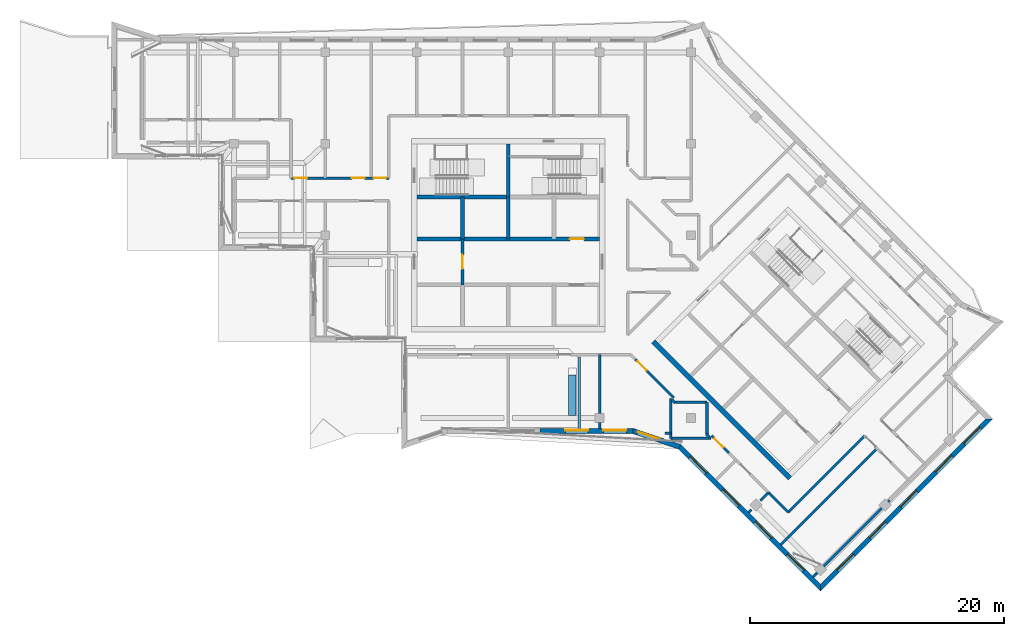
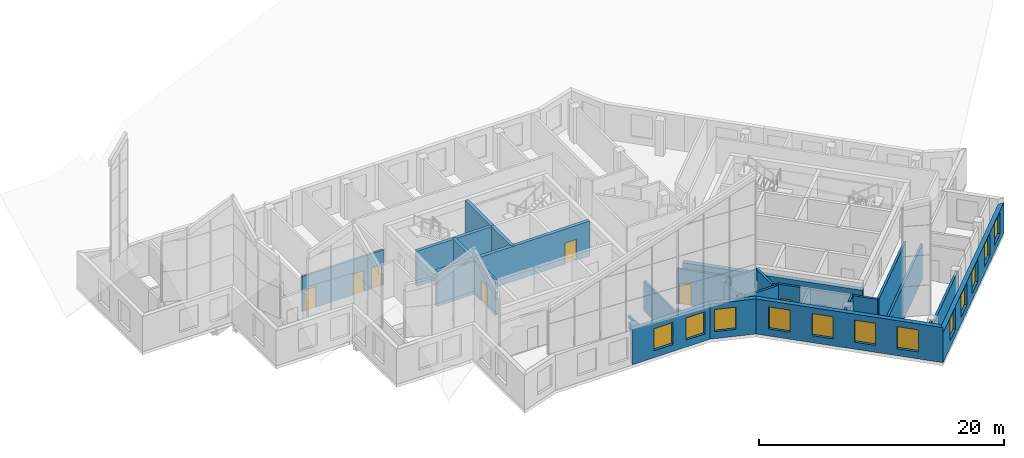
# One storey, part 12 of 20: 32 walls, 12 windows, 7 doors, 19 openings.
"""IFC4 building model written with IfcOpenShell, lengths in metres."""

from ifc_helpers import new_model, si_unit, direction, frame, frame_2d, origin, place, context, subcontext, project, spatial, polyline, rectangle, outline, extrude, material, layer, layer_set, type_object, element, fill, save


model = new_model("IFC4")

# Units and contexts
model_context = context("Model", 3, precision=1e-05, world=origin(), true_north=direction((0.0, 1.0)))
body_context = subcontext(model_context, "Body", "Model", "MODEL_VIEW")
ifc_project = project(units=[si_unit("LENGTHUNIT", "METRE"), si_unit("AREAUNIT", "SQUARE_METRE"), si_unit("VOLUMEUNIT", "CUBIC_METRE"), si_unit("PLANEANGLEUNIT", "RADIAN"), si_unit("MASSUNIT", "GRAM", prefix="KILO")], contexts=[model_context])

# Site, building, storey
site_placement = place(None, origin())
site = spatial("IfcSite", under=ifc_project, at=site_placement, CompositionType="ELEMENT")
building_placement = place(site_placement, origin())
building = spatial("IfcBuilding", under=site, at=building_placement, Name="Windrow Commons", CompositionType="ELEMENT")
storey_placement = place(building_placement, frame((0.0, 0.0, 290.6)))
storey = spatial("IfcBuildingStorey", under=building, at=storey_placement, Name="L79", CompositionType="ELEMENT", Elevation=290.6)

# Wall, opening, door
ifc_material_1 = material(Name="Blockwork partition", Category="masonry")
ifc_layer_1 = layer(ifc_material_1, 0.2)
ifc_layer_set_1 = layer_set([ifc_layer_1], Name="Fire lobby partition 200")
wall_type_1 = type_object("IfcWallType", Name="Fire lobby partition 200", PredefinedType="PARTITIONING", material=ifc_layer_set_1)
wall_1_placement = place(storey_placement, frame((61.2, 53.7, 0.0), z_axis=(0.0, 0.0, 1.0), x_axis=(0.0, 1.0, 0.0)))
wall_1 = element("IfcWall", 1, at=wall_1_placement, inside=storey, type_object=wall_type_1, Name="W-core-lobby-A-L79", PredefinedType="PARTITIONING", context=body_context, shape_type="SweptSolid", body=[
    extrude(rectangle(XDim=3.6, YDim=0.2, at=frame_2d((1.8, 0.0))), origin(), (0.0, 0.0, 1.0), 3.5),
])
opening_1_placement = place(wall_1_placement, frame((1.25, 0.0, 0.0)))
opening_1 = element("IfcOpeningElement", 2, at=opening_1_placement, cuts=wall_1, Name="Opening D6", PredefinedType="OPENING", context=body_context, shape_type="SweptSolid", body=[
    extrude(rectangle(XDim=1.1, YDim=2.1, at=frame_2d((0.55, 1.05))), frame((0.0, 0.11, 0.0), z_axis=(0.0, -1.0, 0.0), x_axis=(1.0, 0.0, 0.0)), (0.0, 0.0, 1.0), 0.22),
])
ifc_material_2 = material(Name="Steel fire door leaf", Category="steel")
door_type_1 = type_object("IfcDoorType", Name="Core lobby door 1100", OperationType="SINGLE_SWING_LEFT", PredefinedType="DOOR", material=ifc_material_2)
door_1_placement = place(opening_1_placement, origin())
door_1 = element("IfcDoor", 3, at=door_1_placement, inside=storey, type_object=door_type_1, Name="Lift lobby door", OperationType="DOUBLE_DOOR_SINGLE_SWING", OverallHeight=2.1, OverallWidth=1.1, PredefinedType="DOOR", context=body_context, shape_type="SweptSolid", body=[
    extrude(rectangle(XDim=1.1, YDim=2.1, at=frame_2d((0.55, 1.05))), frame((0.0, 0.025, 0.0), z_axis=(0.0, -1.0, 0.0), x_axis=(1.0, 0.0, 0.0)), (0.0, 0.0, 1.0), 0.05),
])
fill(opening_1, door_1)

# Wall
ifc_material_3 = material(Name="Blockwork partition", Category="masonry")
ifc_layer_2 = layer(ifc_material_3, 0.2)
ifc_layer_set_2 = layer_set([ifc_layer_2], Name="IW-CORRIDOR-200")
wall_type_2 = type_object("IfcWallType", Name="IW-CORRIDOR-200", PredefinedType="PARTITIONING", material=ifc_layer_set_2)
wall_2_placement = place(storey_placement, frame((86.8355, 35.7965, 0.0), z_axis=(0.0, 0.0, 1.0), x_axis=(0.7071067812, 0.7071067812, 0.0)))
element("IfcWall", 4, at=wall_2_placement, inside=storey, type_object=wall_type_2, Name="W-L79-W011", PredefinedType="PARTITIONING", context=body_context, shape_type="SweptSolid", body=[
    extrude(rectangle(XDim=8.4994, YDim=0.2, at=frame_2d((4.2497, 0.0))), origin(), (0.0, 0.0, 1.0), 3.5),
])

# Wall, openings, doors
wall_3_placement = place(storey_placement, frame((47.702, 62.1, 0.0), z_axis=(0.0, 0.0, 1.0), x_axis=(1.0, 0.0, 0.0)))
wall_3 = element("IfcWall", 5, at=wall_3_placement, inside=storey, type_object=wall_type_2, Name="W-L79-W014", PredefinedType="PARTITIONING", context=body_context, shape_type="SweptSolid", body=[
    extrude(rectangle(XDim=7.698, YDim=0.2, at=frame_2d((3.849, 0.0))), origin(), (0.0, 0.0, 1.0), 3.5),
])
opening_2_placement = place(wall_3_placement, frame((0.2647, 0.0, 0.0)))
opening_2 = element("IfcOpeningElement", 6, at=opening_2_placement, cuts=wall_3, Name="Opening D410F", PredefinedType="OPENING", context=body_context, shape_type="SweptSolid", body=[
    extrude(rectangle(XDim=1.0, YDim=2.1, at=frame_2d((0.5, 1.05))), frame((0.0, 0.11, 0.0), z_axis=(0.0, -1.0, 0.0), x_axis=(1.0, 0.0, 0.0)), (0.0, 0.0, 1.0), 0.22),
])
opening_3_placement = place(wall_3_placement, frame((4.7905, 0.0, 0.0)))
opening_3 = element("IfcOpeningElement", 7, at=opening_3_placement, cuts=wall_3, Name="Opening D410F", PredefinedType="OPENING", context=body_context, shape_type="SweptSolid", body=[
    extrude(rectangle(XDim=1.0, YDim=2.1, at=frame_2d((0.5, 1.05))), frame((0.0, 0.11, 0.0), z_axis=(0.0, -1.0, 0.0), x_axis=(1.0, 0.0, 0.0)), (0.0, 0.0, 1.0), 0.22),
])
opening_4_placement = place(wall_3_placement, frame((6.4951, 0.0, 0.0)))
opening_4 = element("IfcOpeningElement", 8, at=opening_4_placement, cuts=wall_3, Name="Opening D410F", PredefinedType="OPENING", context=body_context, shape_type="SweptSolid", body=[
    extrude(rectangle(XDim=1.0, YDim=2.1, at=frame_2d((0.5, 1.05))), frame((0.0, 0.11, 0.0), z_axis=(0.0, -1.0, 0.0), x_axis=(1.0, 0.0, 0.0)), (0.0, 0.0, 1.0), 0.22),
])
ifc_material_4 = material(Name="Timber door leaf", Category="wood")
door_type_2 = type_object("IfcDoorType", Name="DT-SERVICE-1000", OperationType="SINGLE_SWING_LEFT", PredefinedType="DOOR", material=ifc_material_4)
door_2_placement = place(opening_2_placement, origin())
door_2 = element("IfcDoor", 9, at=door_2_placement, inside=storey, type_object=door_type_2, Name="D-L79-D011", OperationType="SINGLE_SWING_LEFT", OverallHeight=2.1, OverallWidth=1.0, PredefinedType="DOOR", context=body_context, shape_type="SweptSolid", body=[
    extrude(rectangle(XDim=1.0, YDim=2.1, at=frame_2d((0.5, 1.05))), frame((0.0, 0.025, 0.0), z_axis=(0.0, -1.0, 0.0), x_axis=(1.0, 0.0, 0.0)), (0.0, 0.0, 1.0), 0.05),
])
fill(opening_2, door_2)
door_3_placement = place(opening_3_placement, origin())
door_3 = element("IfcDoor", 10, at=door_3_placement, inside=storey, type_object=door_type_2, Name="D-L79-D012", OperationType="SINGLE_SWING_RIGHT", OverallHeight=2.1, OverallWidth=1.0, PredefinedType="DOOR", context=body_context, shape_type="SweptSolid", body=[
    extrude(rectangle(XDim=1.0, YDim=2.1, at=frame_2d((0.5, 1.05))), frame((0.0, 0.025, 0.0), z_axis=(0.0, -1.0, 0.0), x_axis=(1.0, 0.0, 0.0)), (0.0, 0.0, 1.0), 0.05),
])
fill(opening_3, door_3)
door_4_placement = place(opening_4_placement, origin())
door_4 = element("IfcDoor", 11, at=door_4_placement, inside=storey, type_object=door_type_2, Name="D-L79-D013", OperationType="SINGLE_SWING_LEFT", OverallHeight=2.1, OverallWidth=1.0, PredefinedType="DOOR", context=body_context, shape_type="SweptSolid", body=[
    extrude(rectangle(XDim=1.0, YDim=2.1, at=frame_2d((0.5, 1.05))), frame((0.0, 0.025, 0.0), z_axis=(0.0, -1.0, 0.0), x_axis=(1.0, 0.0, 0.0)), (0.0, 0.0, 1.0), 0.05),
])
fill(opening_4, door_4)

# Wall, opening, door
wall_4_placement = place(storey_placement, frame((77.8286, 44.7986, 0.0), z_axis=(0.0, 0.0, 1.0), x_axis=(-0.7072005868, 0.7070129631, 0.0)))
wall_4 = element("IfcWall", 12, at=wall_4_placement, inside=storey, type_object=wall_type_2, Name="W-L79-W040", PredefinedType="PARTITIONING", context=body_context, shape_type="SweptSolid", body=[
    extrude(rectangle(XDim=4.2639, YDim=0.2, at=frame_2d((2.1319, 0.0))), origin(), (0.0, 0.0, 1.0), 3.5),
])
opening_5_placement = place(wall_4_placement, frame((3.0401, 0.0, 0.0)))
opening_5 = element("IfcOpeningElement", 13, at=opening_5_placement, cuts=wall_4, Name="Opening D410F", PredefinedType="OPENING", context=body_context, shape_type="SweptSolid", body=[
    extrude(rectangle(XDim=1.0, YDim=2.1, at=frame_2d((0.5, 1.05))), frame((0.0, 0.11, 0.0), z_axis=(0.0, -1.0, 0.0), x_axis=(1.0, 0.0, 0.0)), (0.0, 0.0, 1.0), 0.22),
])
door_5_placement = place(opening_5_placement, origin())
door_5 = element("IfcDoor", 14, at=door_5_placement, inside=storey, type_object=door_type_2, Name="D-L79-D002", OperationType="SINGLE_SWING_LEFT", OverallHeight=2.1, OverallWidth=1.0, PredefinedType="DOOR", context=body_context, shape_type="SweptSolid", body=[
    extrude(rectangle(XDim=1.0, YDim=2.1, at=frame_2d((0.5, 1.05))), frame((0.0, 0.025, 0.0), z_axis=(0.0, -1.0, 0.0), x_axis=(1.0, 0.0, 0.0)), (0.0, 0.0, 1.0), 0.05),
])
fill(opening_5, door_5)

# Walls
for number, where, z_axis, x_axis, name in (
    (15, (80.45, 41.952, 0.0), (0.0, 0.0, 1.0), (0.0, 1.0, 0.0), "W-L79-W053"),
    (16, (77.952, 44.45, 0.0), (0.0, 0.0, 1.0), (1.0, 0.0, 0.0), "W-L79-W054"),
):
    element("IfcWall", number, at=place(storey_placement, frame(where, z_axis=z_axis, x_axis=x_axis)), inside=storey, type_object=wall_type_2, Name=name, PredefinedType="PARTITIONING", context=body_context, shape_type="SweptSolid", body=[
        extrude(rectangle(XDim=2.498, YDim=0.2, at=frame_2d((1.249, 0.0))), origin(), (0.0, 0.0, 1.0), 3.5),
    ])
wall_5_placement = place(storey_placement, frame((86.8332, 35.7932, 0.0), z_axis=(0.0, 0.0, 1.0), x_axis=(-0.7068338899, 0.7073795672, 0.0)))
element("IfcWall", 17, at=wall_5_placement, inside=storey, type_object=wall_type_2, Name="W-L79-W066", PredefinedType="PARTITIONING", context=body_context, shape_type="SweptSolid", body=[
    extrude(rectangle(XDim=2.1991, YDim=0.2, at=frame_2d((1.0996, 0.0))), origin(), (0.0, 0.0, 1.0), 3.5),
])

# Wall, opening, door
wall_6_placement = place(storey_placement, frame((80.8053, 41.8353, 0.0), z_axis=(0.0, 0.0, 1.0), x_axis=(0.7065923348, -0.7076208535, 0.0)))
wall_6 = element("IfcWall", 18, at=wall_6_placement, inside=storey, type_object=wall_type_2, Name="W-L79-W067", PredefinedType="PARTITIONING", context=body_context, shape_type="SweptSolid", body=[
    extrude(rectangle(XDim=1.9445, YDim=0.2, at=frame_2d((0.9722, 0.0))), origin(), (0.0, 0.0, 1.0), 3.5),
])
opening_6_placement = place(wall_6_placement, frame((0.3362, 0.0, 0.0)))
opening_6 = element("IfcOpeningElement", 19, at=opening_6_placement, cuts=wall_6, Name="Opening D410F", PredefinedType="OPENING", context=body_context, shape_type="SweptSolid", body=[
    extrude(rectangle(XDim=1.0, YDim=2.1, at=frame_2d((0.5, 1.05))), frame((0.0, 0.11, 0.0), z_axis=(0.0, -1.0, 0.0), x_axis=(1.0, 0.0, 0.0)), (0.0, 0.0, 1.0), 0.22),
])
door_6_placement = place(opening_6_placement, origin())
door_6 = element("IfcDoor", 20, at=door_6_placement, inside=storey, type_object=door_type_2, Name="D-L79-D028", OperationType="SINGLE_SWING_LEFT", OverallHeight=2.1, OverallWidth=1.0, PredefinedType="DOOR", context=body_context, shape_type="SweptSolid", body=[
    extrude(rectangle(XDim=1.0, YDim=2.1, at=frame_2d((0.5, 1.05))), frame((0.0, 0.025, 0.0), z_axis=(0.0, -1.0, 0.0), x_axis=(1.0, 0.0, 0.0)), (0.0, 0.0, 1.0), 0.05),
])
fill(opening_6, door_6)

# Walls
for number, where, z_axis, x_axis, name in (
    (21, (77.6958, 44.6478, 0.0), (0.0, 0.0, 1.0), (0.7071067812, -0.7071067812, 0.0), "W-L79-W104"),
    (22, (80.3968, 41.9468, 0.0), (0.0, 0.0, 1.0), (0.7071067812, -0.7071067812, 0.0), "W-L79-W105"),
):
    element("IfcWall", number, at=place(storey_placement, frame(where, z_axis=z_axis, x_axis=x_axis)), inside=storey, type_object=wall_type_2, Name=name, PredefinedType="PARTITIONING", context=body_context, shape_type="SweptSolid", body=[
        extrude(rectangle(XDim=0.355, YDim=0.2, at=frame_2d((0.1775, 0.0))), origin(), (0.0, 0.0, 1.0), 3.5),
    ])
ifc_material_5 = material(Name="Blockwork partition", Category="masonry")
ifc_layer_3 = layer(ifc_material_5, 0.2)
ifc_layer_set_3 = layer_set([ifc_layer_3], Name="IW-PARTY-200")
wall_type_3 = type_object("IfcWallType", Name="IW-PARTY-200", PredefinedType="PARTITIONING", material=ifc_layer_set_3)
wall_7_placement = place(storey_placement, frame((89.031, 30.921, 0.0), z_axis=(0.0, 0.0, 1.0), x_axis=(0.7071067812, 0.7071067812, 0.0)))
element("IfcWall", 23, at=wall_7_placement, inside=storey, type_object=wall_type_3, Name="W-L79-W021", PredefinedType="PARTITIONING", context=body_context, shape_type="SweptSolid", body=[
    extrude(rectangle(XDim=8.1911, YDim=0.2, at=frame_2d((4.0956, 0.0))), origin(), (0.0, 0.0, 1.0), 3.0),
])
wall_8_placement = place(storey_placement, frame((72.0, 42.85, 0.0), z_axis=(0.0, 0.0, 1.0), x_axis=(0.0, 1.0, 0.0)))
element("IfcWall", 24, at=wall_8_placement, inside=storey, type_object=wall_type_3, Name="W-L79-W036", PredefinedType="PARTITIONING", context=body_context, shape_type="SweptSolid", body=[
    extrude(rectangle(XDim=5.35, YDim=0.2, at=frame_2d((2.675, 0.0))), origin(), (0.0, 0.0, 1.0), 3.0),
])
wall_9_placement = place(storey_placement, frame((77.6, 41.6, 0.0), z_axis=(0.0, 0.0, 1.0), x_axis=(0.0, 1.0, 0.0)))
element("IfcWall", 25, at=wall_9_placement, inside=storey, type_object=wall_type_3, Name="W-L79-W048", PredefinedType="PARTITIONING", context=body_context, shape_type="SweptSolid", body=[
    extrude(rectangle(XDim=3.15, YDim=0.2, at=frame_2d((1.575, 0.0))), origin(), (0.0, 0.0, 1.0), 3.0),
])
wall_10_placement = place(storey_placement, frame((77.602, 41.6, 0.0), z_axis=(0.0, 0.0, 1.0), x_axis=(1.0, 0.0, 0.0)))
element("IfcWall", 26, at=wall_10_placement, inside=storey, type_object=wall_type_3, Name="W-L79-W049", PredefinedType="PARTITIONING", context=body_context, shape_type="SweptSolid", body=[
    extrude(rectangle(XDim=3.148, YDim=0.2, at=frame_2d((1.574, 0.0))), origin(), (0.0, 0.0, 1.0), 3.5),
])
wall_11_placement = place(storey_placement, frame((84.6408, 36.7132, 0.0), z_axis=(0.0, 0.0, 1.0), x_axis=(0.7071067812, 0.7071067812, 0.0)))
element("IfcWall", 27, at=wall_11_placement, inside=storey, type_object=wall_type_3, Name="W-L79-W084", PredefinedType="PARTITIONING", context=body_context, shape_type="SweptSolid", body=[
    extrude(rectangle(XDim=0.9051, YDim=0.2, at=frame_2d((0.4526, 0.0))), origin(), (0.0, 0.0, 1.0), 3.5),
])
wall_12_placement = place(storey_placement, frame((77.14, 42.0, 0.0), z_axis=(0.0, 0.0, 1.0), x_axis=(1.0, 0.0, 0.0)))
element("IfcWall", 28, at=wall_12_placement, inside=storey, type_object=wall_type_3, Name="W-L79-W106", PredefinedType="PARTITIONING", context=body_context, shape_type="SweptSolid", body=[
    extrude(rectangle(XDim=0.46, YDim=0.2, at=frame_2d((0.23, 0.0))), origin(), (0.0, 0.0, 1.0), 3.5),
])
wall_13_placement = place(storey_placement, frame((86.2709, 33.2507, 0.0), z_axis=(0.0, 0.0, 1.0), x_axis=(0.7071908866, 0.7070226658, 0.0)))
element("IfcWall", 29, at=wall_13_placement, inside=storey, type_object=wall_type_3, Name="W-L79-W006", PredefinedType="PARTITIONING", context=body_context, shape_type="SweptSolid", body=[
    extrude(outline(polyline([(0.0, -0.1), (10.7002, -0.1), (10.7002, 0.1), (0.0, 0.1), (0.0, -0.1)])), origin(), (0.0, 0.0, 1.0), 3.5),
])
wall_14_placement = place(storey_placement, frame((72.0, 42.4, 0.0), z_axis=(0.0, 0.0, 1.0), x_axis=(0.0, 1.0, 0.0)))
element("IfcWall", 30, at=wall_14_placement, inside=storey, type_object=wall_type_3, Name="W-L79-W089", PredefinedType="PARTITIONING", context=body_context, shape_type="SweptSolid", body=[
    extrude(outline(polyline([(0.0, -0.1), (0.45, -0.1), (0.45, 0.1), (0.0, 0.1), (0.0, -0.1)])), origin(), (0.0, 0.0, 1.0), 3.5),
])
wall_15_placement = place(storey_placement, frame((83.7246, 35.7969, 0.0), z_axis=(0.0, 0.0, 1.0), x_axis=(0.7069432694, 0.7072702552, 0.0)))
element("IfcWall", 31, at=wall_15_placement, inside=storey, type_object=wall_type_3, Name="W-L79-W097", PredefinedType="PARTITIONING", context=body_context, shape_type="SweptSolid", body=[
    extrude(outline(polyline([(0.0, -0.1), (0.3058, -0.1), (0.3058, 0.1), (0.0, 0.1), (0.0, -0.1)])), origin(), (0.0, 0.0, 1.0), 3.5),
])
wall_16_placement = place(storey_placement, frame((88.8158, 30.7058, 0.0), z_axis=(0.0, 0.0, 1.0), x_axis=(0.7071067812, 0.7071067812, 0.0)))
element("IfcWall", 32, at=wall_16_placement, inside=storey, type_object=wall_type_3, Name="W-L79-W101", PredefinedType="PARTITIONING", context=body_context, shape_type="SweptSolid", body=[
    extrude(outline(polyline([(0.0, -0.1), (0.3043, -0.1), (0.3043, 0.1), (0.0, 0.1), (0.0, -0.1)])), origin(), (0.0, 0.0, 1.0), 3.5),
])
ifc_material_6 = material(Name="Concrete C30/37 planter wall", Category="concrete")
ifc_layer_4 = layer(ifc_material_6, 0.6)
ifc_layer_set_4 = layer_set([ifc_layer_4], Name="Planter 600x450")
wall_type_4 = type_object("IfcWallType", Name="Planter 600x450", PredefinedType="SOLIDWALL", material=ifc_layer_set_4)
wall_17_placement = place(storey_placement, frame((69.85, 43.42, 0.0), z_axis=(0.0, 0.0, 1.0), x_axis=(0.0, 1.0, 0.0)))
element("IfcWall", 33, at=wall_17_placement, inside=storey, type_object=wall_type_4, Name="PLANTER TR-L79-4.1", PredefinedType="SOLIDWALL", context=body_context, shape_type="SweptSolid", body=[
    extrude(outline(polyline([(0.0, -0.3), (3.18, -0.3), (3.18, 0.3), (0.0, 0.3), (0.0, -0.3)])), origin(), (0.0, 0.0, 1.0), 0.65),
])
ifc_material_7 = material(Name="Concrete C40/50", Category="concrete")
ifc_layer_5 = layer(ifc_material_7, 0.4)
ifc_layer_set_5 = layer_set([ifc_layer_5], Name="RC CORE WALL 400 C40/50")
wall_type_5 = type_object("IfcWallType", Name="RC CORE WALL 400 C40/50", PredefinedType="SHEAR", material=ifc_layer_set_5)
wall_18_placement = place(storey_placement, frame((76.2302, 49.2312, -0.3), z_axis=(0.0, 0.0, 1.0), x_axis=(0.7071034917, -0.7071100706, 0.0)))
element("IfcWall", 34, at=wall_18_placement, inside=storey, type_object=wall_type_5, Name="Core B wall outer-S", PredefinedType="SHEAR", context=body_context, shape_type="SweptSolid", body=[
    extrude(rectangle(XDim=15.2, YDim=0.4, at=frame_2d((7.6, 0.0))), origin(), (0.0, 0.0, 1.0), 3.1),
])
ifc_material_8 = material(Name="Concrete C40/50", Category="concrete")
ifc_layer_6 = layer(ifc_material_8, 0.3)
ifc_layer_set_6 = layer_set([ifc_layer_6], Name="RC SHAFT WALL 300 C40/50")
wall_type_6 = type_object("IfcWallType", Name="RC SHAFT WALL 300 C40/50", PredefinedType="SOLIDWALL", material=ifc_layer_set_6)
for number, where, z_axis, x_axis, name in (
    (35, (61.2, 57.3, 0.0), (0.0, 0.0, 1.0), (0.0, 1.0, 0.0), "Core A wall shaft-N1"),
    (36, (64.8, 57.3, 0.0), (0.0, 0.0, 1.0), (0.0, 1.0, 0.0), "Core A wall shaft-N2"),
):
    element("IfcWall", number, at=place(storey_placement, frame(where, z_axis=z_axis, x_axis=x_axis)), inside=storey, type_object=wall_type_6, Name=name, PredefinedType="SOLIDWALL", context=body_context, shape_type="SweptSolid", body=[
        extrude(rectangle(XDim=3.3, YDim=0.3, at=frame_2d((1.65, 0.0))), origin(), (0.0, 0.0, 1.0), 3.5),
    ])

# Wall, opening, door
wall_19_placement = place(storey_placement, frame((57.6, 57.3, 0.0), z_axis=(0.0, 0.0, 1.0), x_axis=(1.0, 0.0, 0.0)))
wall_19 = element("IfcWall", 37, at=wall_19_placement, inside=storey, type_object=wall_type_6, Name="Core A wall lobby-N", PredefinedType="SOLIDWALL", context=body_context, shape_type="SweptSolid", body=[
    extrude(rectangle(XDim=14.4, YDim=0.3, at=frame_2d((7.2, 0.0))), origin(), (0.0, 0.0, 1.0), 3.5),
])
opening_7_placement = place(wall_19_placement, frame((12.05, 0.0, 0.0)))
opening_7 = element("IfcOpeningElement", 38, at=opening_7_placement, cuts=wall_19, Name="Opening LD", PredefinedType="OPENING", context=body_context, shape_type="SweptSolid", body=[
    extrude(rectangle(XDim=1.1, YDim=2.1, at=frame_2d((0.55, 1.05))), frame((0.0, 0.16, 0.0), z_axis=(0.0, -1.0, 0.0), x_axis=(1.0, 0.0, 0.0)), (0.0, 0.0, 1.0), 0.32),
])
ifc_material_9 = material(Name="Stainless steel door leaf", Category="steel")
door_type_3 = type_object("IfcDoorType", Name="Lift landing door 1100", OperationType="SLIDING_TO_LEFT", PredefinedType="DOOR", material=ifc_material_9)
door_7_placement = place(opening_7_placement, origin())
door_7 = element("IfcDoor", 39, at=door_7_placement, inside=storey, type_object=door_type_3, Name="Lift landing door", OperationType="SLIDING_TO_RIGHT", OverallHeight=2.1, OverallWidth=1.1, PredefinedType="DOOR", context=body_context, shape_type="SweptSolid", body=[
    extrude(rectangle(XDim=1.1, YDim=2.1, at=frame_2d((0.55, 1.05))), frame((0.0, 0.025, 0.0), z_axis=(0.0, -1.0, 0.0), x_axis=(1.0, 0.0, 0.0)), (0.0, 0.0, 1.0), 0.05),
])
fill(opening_7, door_7)

# Walls
wall_20_placement = place(storey_placement, frame((57.6, 60.6, 0.0), z_axis=(0.0, 0.0, 1.0), x_axis=(1.0, 0.0, 0.0)))
element("IfcWall", 40, at=wall_20_placement, inside=storey, type_object=wall_type_6, Name="Core A wall stair-S", PredefinedType="SOLIDWALL", context=body_context, shape_type="SweptSolid", body=[
    extrude(rectangle(XDim=7.2, YDim=0.3, at=frame_2d((3.6, 0.0))), origin(), (0.0, 0.0, 1.0), 3.5),
])
wall_21_placement = place(storey_placement, frame((64.8, 60.6, 0.0), z_axis=(0.0, 0.0, 1.0), x_axis=(0.0, 1.0, 0.0)))
element("IfcWall", 41, at=wall_21_placement, inside=storey, type_object=wall_type_6, Name="Core A wall stair-mid", PredefinedType="SOLIDWALL", context=body_context, shape_type="SweptSolid", body=[
    extrude(rectangle(XDim=4.2, YDim=0.3, at=frame_2d((2.1, 0.0))), origin(), (0.0, 0.0, 1.0), 3.5),
])
ifc_material_10 = material(Name="Brick masonry, red clay brick", Category="masonry")
ifc_layer_7 = layer(ifc_material_10, 0.2)
ifc_layer_set_7 = layer_set([ifc_layer_7], Name="Terrace edge parapet 200")
wall_type_7 = type_object("IfcWallType", Name="Terrace edge parapet 200", PredefinedType="PARAPET", material=ifc_layer_set_7)
wall_22_placement = place(storey_placement, frame((70.4, 42.4, 0.0), z_axis=(0.0, 0.0, 1.0), x_axis=(0.0, 1.0, 0.0)))
element("IfcWall", 42, at=wall_22_placement, inside=storey, type_object=wall_type_7, Name="Terrace parapet TR-L79-4.1.1", PredefinedType="PARAPET", context=body_context, shape_type="SweptSolid", body=[
    extrude(outline(polyline([(0.0, -0.1), (5.6316, -0.1), (5.5488, 0.1), (0.0, 0.1), (0.0, -0.1)])), origin(), (0.0, 0.0, 1.0), 0.25),
])

# Wall, openings, windows
ifc_material_11 = material(Name="Standing seam zinc cladding on insulated masonry backing", Category="masonry")
ifc_layer_8 = layer(ifc_material_11, 0.4)
ifc_layer_set_8 = layer_set([ifc_layer_8], Name="Zinc clad crown wall 400")
wall_type_8 = type_object("IfcWallType", Name="Zinc clad crown wall 400", PredefinedType="SOLIDWALL", material=ifc_layer_set_8)
wall_23_placement = place(storey_placement, frame((89.3823, 29.8564, 0.0), z_axis=(0.0, 0.0, 1.0), x_axis=(0.7071094407, 0.7071041216, 0.0)))
wall_23 = element("IfcWall", 43, at=wall_23_placement, inside=storey, type_object=wall_type_8, Name="Brick facade wall L79 1", PredefinedType="SOLIDWALL", context=body_context, shape_type="SweptSolid", body=[
    extrude(outline(polyline([(-0.2, -0.2), (19.0, -0.2), (18.6, 0.2), (0.2, 0.2), (-0.2, -0.2)])), origin(), (0.0, 0.0, 1.0), 3.0),
])
opening_8_placement = place(wall_23_placement, frame((1.9, 0.0, 0.7)))
opening_8 = element("IfcOpeningElement", 44, at=opening_8_placement, cuts=wall_23, Name="Opening W6", PredefinedType="OPENING", context=body_context, shape_type="SweptSolid", body=[
    extrude(rectangle(XDim=1.8, YDim=2.2, at=frame_2d((0.9, 1.1))), frame((0.0, 0.21, 0.0), z_axis=(0.0, -1.0, 0.0), x_axis=(1.0, 0.0, 0.0)), (0.0, 0.0, 1.0), 0.42),
])
opening_9_placement = place(wall_23_placement, frame((5.5, 0.0, 0.7)))
opening_9 = element("IfcOpeningElement", 45, at=opening_9_placement, cuts=wall_23, Name="Opening W6", PredefinedType="OPENING", context=body_context, shape_type="SweptSolid", body=[
    extrude(rectangle(XDim=1.8, YDim=2.2, at=frame_2d((0.9, 1.1))), frame((0.0, 0.21, 0.0), z_axis=(0.0, -1.0, 0.0), x_axis=(1.0, 0.0, 0.0)), (0.0, 0.0, 1.0), 0.42),
])
opening_10_placement = place(wall_23_placement, frame((8.95, 0.0, 0.7)))
opening_10 = element("IfcOpeningElement", 46, at=opening_10_placement, cuts=wall_23, Name="Opening W6", PredefinedType="OPENING", context=body_context, shape_type="SweptSolid", body=[
    extrude(rectangle(XDim=1.8, YDim=2.2, at=frame_2d((0.9, 1.1))), frame((0.0, 0.21, 0.0), z_axis=(0.0, -1.0, 0.0), x_axis=(1.0, 0.0, 0.0)), (0.0, 0.0, 1.0), 0.42),
])
opening_11_placement = place(wall_23_placement, frame((12.85, 0.0, 0.7)))
opening_11 = element("IfcOpeningElement", 47, at=opening_11_placement, cuts=wall_23, Name="Opening W6", PredefinedType="OPENING", context=body_context, shape_type="SweptSolid", body=[
    extrude(rectangle(XDim=1.8, YDim=2.2, at=frame_2d((0.9, 1.1))), frame((0.0, 0.21, 0.0), z_axis=(0.0, -1.0, 0.0), x_axis=(1.0, 0.0, 0.0)), (0.0, 0.0, 1.0), 0.42),
])
opening_12_placement = place(wall_23_placement, frame((16.0, 0.0, 0.7)))
opening_12 = element("IfcOpeningElement", 48, at=opening_12_placement, cuts=wall_23, Name="Opening W6", PredefinedType="OPENING", context=body_context, shape_type="SweptSolid", body=[
    extrude(rectangle(XDim=1.8, YDim=2.2, at=frame_2d((0.9, 1.1))), frame((0.0, 0.21, 0.0), z_axis=(0.0, -1.0, 0.0), x_axis=(1.0, 0.0, 0.0)), (0.0, 0.0, 1.0), 0.42),
])
ifc_material_12 = material(Name="Clear float glass in anodised aluminium frame", Category="aluminium")
window_type = type_object("IfcWindowType", Name="Window W6 crown 1800x2200", PartitioningType="SINGLE_PANEL", PredefinedType="WINDOW", material=ifc_material_12)
window_1_placement = place(opening_8_placement, origin())
window_1 = element("IfcWindow", 49, at=window_1_placement, inside=storey, type_object=window_type, Name="Window L79 1.1", OverallHeight=2.2, OverallWidth=1.8, PartitioningType="SINGLE_PANEL", PredefinedType="WINDOW", context=body_context, shape_type="SweptSolid", body=[
    extrude(rectangle(XDim=1.8, YDim=2.2, at=frame_2d((0.9, 1.1))), frame((0.0, 0.08, 0.0), z_axis=(0.0, -1.0, 0.0), x_axis=(1.0, 0.0, 0.0)), (0.0, 0.0, 1.0), 0.06),
])
fill(opening_8, window_1)
window_2_placement = place(opening_9_placement, origin())
window_2 = element("IfcWindow", 50, at=window_2_placement, inside=storey, type_object=window_type, Name="Window L79 1.2", OverallHeight=2.2, OverallWidth=1.8, PartitioningType="SINGLE_PANEL", PredefinedType="WINDOW", context=body_context, shape_type="SweptSolid", body=[
    extrude(rectangle(XDim=1.8, YDim=2.2, at=frame_2d((0.9, 1.1))), frame((0.0, 0.08, 0.0), z_axis=(0.0, -1.0, 0.0), x_axis=(1.0, 0.0, 0.0)), (0.0, 0.0, 1.0), 0.06),
])
fill(opening_9, window_2)
window_3_placement = place(opening_10_placement, origin())
window_3 = element("IfcWindow", 51, at=window_3_placement, inside=storey, type_object=window_type, Name="Window L79 1.3", OverallHeight=2.2, OverallWidth=1.8, PartitioningType="SINGLE_PANEL", PredefinedType="WINDOW", context=body_context, shape_type="SweptSolid", body=[
    extrude(rectangle(XDim=1.8, YDim=2.2, at=frame_2d((0.9, 1.1))), frame((0.0, 0.08, 0.0), z_axis=(0.0, -1.0, 0.0), x_axis=(1.0, 0.0, 0.0)), (0.0, 0.0, 1.0), 0.06),
])
fill(opening_10, window_3)
window_4_placement = place(opening_11_placement, origin())
window_4 = element("IfcWindow", 52, at=window_4_placement, inside=storey, type_object=window_type, Name="Window L79 1.4", OverallHeight=2.2, OverallWidth=1.8, PartitioningType="SINGLE_PANEL", PredefinedType="WINDOW", context=body_context, shape_type="SweptSolid", body=[
    extrude(rectangle(XDim=1.8, YDim=2.2, at=frame_2d((0.9, 1.1))), frame((0.0, 0.08, 0.0), z_axis=(0.0, -1.0, 0.0), x_axis=(1.0, 0.0, 0.0)), (0.0, 0.0, 1.0), 0.06),
])
fill(opening_11, window_4)
window_5_placement = place(opening_12_placement, origin())
window_5 = element("IfcWindow", 53, at=window_5_placement, inside=storey, type_object=window_type, Name="Window L79 1.5", OverallHeight=2.2, OverallWidth=1.8, PartitioningType="SINGLE_PANEL", PredefinedType="WINDOW", context=body_context, shape_type="SweptSolid", body=[
    extrude(rectangle(XDim=1.8, YDim=2.2, at=frame_2d((0.9, 1.1))), frame((0.0, 0.08, 0.0), z_axis=(0.0, -1.0, 0.0), x_axis=(1.0, 0.0, 0.0)), (0.0, 0.0, 1.0), 0.06),
])
fill(opening_12, window_5)

wall_24_placement = place(storey_placement, frame((67.2944, 42.2, 0.0), z_axis=(0.0, 0.0, 1.0), x_axis=(1.0, 0.0, 0.0)))
wall_24 = element("IfcWall", 54, at=wall_24_placement, inside=storey, type_object=wall_type_8, Name="Brick facade wall L79 26", PredefinedType="SOLIDWALL", context=body_context, shape_type="SweptSolid", body=[
    extrude(outline(polyline([(0.0, -0.2), (7.263, -0.2), (7.329, 0.2), (0.0, 0.2), (0.0, -0.2)])), origin(), (0.0, 0.0, 1.0), 3.5),
])
opening_13_placement = place(wall_24_placement, frame((2.0056, 0.0, 0.7)))
opening_13 = element("IfcOpeningElement", 55, at=opening_13_placement, cuts=wall_24, Name="Opening W6", PredefinedType="OPENING", context=body_context, shape_type="SweptSolid", body=[
    extrude(rectangle(XDim=1.8, YDim=2.2, at=frame_2d((0.9, 1.1))), frame((0.0, 0.21, 0.0), z_axis=(0.0, -1.0, 0.0), x_axis=(1.0, 0.0, 0.0)), (0.0, 0.0, 1.0), 0.42),
])
opening_14_placement = place(wall_24_placement, frame((5.0008, 0.0, 0.7)))
opening_14 = element("IfcOpeningElement", 56, at=opening_14_placement, cuts=wall_24, Name="Opening W6", PredefinedType="OPENING", context=body_context, shape_type="SweptSolid", body=[
    extrude(rectangle(XDim=1.8, YDim=2.2, at=frame_2d((0.9, 1.1))), frame((0.0, 0.21, 0.0), z_axis=(0.0, -1.0, 0.0), x_axis=(1.0, 0.0, 0.0)), (0.0, 0.0, 1.0), 0.42),
])
window_6_placement = place(opening_13_placement, origin())
window_6 = element("IfcWindow", 57, at=window_6_placement, inside=storey, type_object=window_type, Name="Window L79 26.1", OverallHeight=2.2, OverallWidth=1.8, PartitioningType="SINGLE_PANEL", PredefinedType="WINDOW", context=body_context, shape_type="SweptSolid", body=[
    extrude(rectangle(XDim=1.8, YDim=2.2, at=frame_2d((0.9, 1.1))), frame((0.0, 0.08, 0.0), z_axis=(0.0, -1.0, 0.0), x_axis=(1.0, 0.0, 0.0)), (0.0, 0.0, 1.0), 0.06),
])
fill(opening_13, window_6)
window_7_placement = place(opening_14_placement, origin())
window_7 = element("IfcWindow", 58, at=window_7_placement, inside=storey, type_object=window_type, Name="Window L79 26.2", OverallHeight=2.2, OverallWidth=1.8, PartitioningType="SINGLE_PANEL", PredefinedType="WINDOW", context=body_context, shape_type="SweptSolid", body=[
    extrude(rectangle(XDim=1.8, YDim=2.2, at=frame_2d((0.9, 1.1))), frame((0.0, 0.08, 0.0), z_axis=(0.0, -1.0, 0.0), x_axis=(1.0, 0.0, 0.0)), (0.0, 0.0, 1.0), 0.06),
])
fill(opening_14, window_7)

# Wall, opening, window
wall_25_placement = place(storey_placement, frame((74.5904, 42.2, 0.0), z_axis=(0.0, 0.0, 1.0), x_axis=(0.9469112296, -0.3214951372, 0.0)))
wall_25 = element("IfcWall", 59, at=wall_25_placement, inside=storey, type_object=wall_type_8, Name="Brick facade wall L79 27", PredefinedType="SOLIDWALL", context=body_context, shape_type="SweptSolid", body=[
    extrude(outline(polyline([(0.033, -0.2), (3.8681, -0.2), (3.9614, 0.2), (-0.033, 0.2), (0.033, -0.2)])), origin(), (0.0, 0.0, 1.0), 3.5),
])
opening_15_placement = place(wall_25_placement, frame((0.414, 0.0, 0.7)))
opening_15 = element("IfcOpeningElement", 60, at=opening_15_placement, cuts=wall_25, Name="Opening W6", PredefinedType="OPENING", context=body_context, shape_type="SweptSolid", body=[
    extrude(rectangle(XDim=1.8, YDim=2.2, at=frame_2d((0.9, 1.1))), frame((0.0, 0.21, 0.0), z_axis=(0.0, -1.0, 0.0), x_axis=(1.0, 0.0, 0.0)), (0.0, 0.0, 1.0), 0.42),
])
window_8_placement = place(opening_15_placement, origin())
window_8 = element("IfcWindow", 61, at=window_8_placement, inside=storey, type_object=window_type, Name="Window L79 27.1A", OverallHeight=2.2, OverallWidth=1.8, PartitioningType="SINGLE_PANEL", PredefinedType="WINDOW", context=body_context, shape_type="SweptSolid", body=[
    extrude(rectangle(XDim=1.8, YDim=2.2, at=frame_2d((0.9, 1.1))), frame((0.0, 0.08, 0.0), z_axis=(0.0, -1.0, 0.0), x_axis=(1.0, 0.0, 0.0)), (0.0, 0.0, 1.0), 0.06),
])
fill(opening_15, window_8)

# Wall, openings, windows
wall_26_placement = place(storey_placement, frame((78.2974, 40.9414, 0.0), z_axis=(0.0, 0.0, 1.0), x_axis=(0.7071035917, -0.7071099707, 0.0)))
wall_26 = element("IfcWall", 62, at=wall_26_placement, inside=storey, type_object=wall_type_8, Name="Brick facade wall L79 28", PredefinedType="SOLIDWALL", context=body_context, shape_type="SweptSolid", body=[
    extrude(outline(polyline([(0.0466, -0.2), (15.8765, -0.2), (15.4765, 0.2), (-0.0466, 0.2), (0.0466, -0.2)])), origin(), (0.0, 0.0, 1.0), 3.5),
])
opening_16_placement = place(wall_26_placement, frame((1.1383, 0.0, 0.7)))
opening_16 = element("IfcOpeningElement", 63, at=opening_16_placement, cuts=wall_26, Name="Opening W6", PredefinedType="OPENING", context=body_context, shape_type="SweptSolid", body=[
    extrude(rectangle(XDim=1.8, YDim=2.2, at=frame_2d((0.9, 1.1))), frame((0.0, 0.21, 0.0), z_axis=(0.0, -1.0, 0.0), x_axis=(1.0, 0.0, 0.0)), (0.0, 0.0, 1.0), 0.42),
])
opening_17_placement = place(wall_26_placement, frame((4.7765, 0.0, 0.7)))
opening_17 = element("IfcOpeningElement", 64, at=opening_17_placement, cuts=wall_26, Name="Opening W6", PredefinedType="OPENING", context=body_context, shape_type="SweptSolid", body=[
    extrude(rectangle(XDim=1.8, YDim=2.2, at=frame_2d((0.9, 1.1))), frame((0.0, 0.21, 0.0), z_axis=(0.0, -1.0, 0.0), x_axis=(1.0, 0.0, 0.0)), (0.0, 0.0, 1.0), 0.42),
])
opening_18_placement = place(wall_26_placement, frame((8.3765, 0.0, 0.7)))
opening_18 = element("IfcOpeningElement", 65, at=opening_18_placement, cuts=wall_26, Name="Opening W6", PredefinedType="OPENING", context=body_context, shape_type="SweptSolid", body=[
    extrude(rectangle(XDim=1.8, YDim=2.2, at=frame_2d((0.9, 1.1))), frame((0.0, 0.21, 0.0), z_axis=(0.0, -1.0, 0.0), x_axis=(1.0, 0.0, 0.0)), (0.0, 0.0, 1.0), 0.42),
])
opening_19_placement = place(wall_26_placement, frame((11.9765, 0.0, 0.7)))
opening_19 = element("IfcOpeningElement", 66, at=opening_19_placement, cuts=wall_26, Name="Opening W6", PredefinedType="OPENING", context=body_context, shape_type="SweptSolid", body=[
    extrude(rectangle(XDim=1.8, YDim=2.2, at=frame_2d((0.9, 1.1))), frame((0.0, 0.21, 0.0), z_axis=(0.0, -1.0, 0.0), x_axis=(1.0, 0.0, 0.0)), (0.0, 0.0, 1.0), 0.42),
])
window_9_placement = place(opening_16_placement, origin())
window_9 = element("IfcWindow", 67, at=window_9_placement, inside=storey, type_object=window_type, Name="Window L79 28.1", OverallHeight=2.2, OverallWidth=1.8, PartitioningType="SINGLE_PANEL", PredefinedType="WINDOW", context=body_context, shape_type="SweptSolid", body=[
    extrude(rectangle(XDim=1.8, YDim=2.2, at=frame_2d((0.9, 1.1))), frame((0.0, 0.08, 0.0), z_axis=(0.0, -1.0, 0.0), x_axis=(1.0, 0.0, 0.0)), (0.0, 0.0, 1.0), 0.06),
])
fill(opening_16, window_9)
window_10_placement = place(opening_17_placement, origin())
window_10 = element("IfcWindow", 68, at=window_10_placement, inside=storey, type_object=window_type, Name="Window L79 28.2", OverallHeight=2.2, OverallWidth=1.8, PartitioningType="SINGLE_PANEL", PredefinedType="WINDOW", context=body_context, shape_type="SweptSolid", body=[
    extrude(rectangle(XDim=1.8, YDim=2.2, at=frame_2d((0.9, 1.1))), frame((0.0, 0.08, 0.0), z_axis=(0.0, -1.0, 0.0), x_axis=(1.0, 0.0, 0.0)), (0.0, 0.0, 1.0), 0.06),
])
fill(opening_17, window_10)
window_11_placement = place(opening_18_placement, origin())
window_11 = element("IfcWindow", 69, at=window_11_placement, inside=storey, type_object=window_type, Name="Window L79 28.3", OverallHeight=2.2, OverallWidth=1.8, PartitioningType="SINGLE_PANEL", PredefinedType="WINDOW", context=body_context, shape_type="SweptSolid", body=[
    extrude(rectangle(XDim=1.8, YDim=2.2, at=frame_2d((0.9, 1.1))), frame((0.0, 0.08, 0.0), z_axis=(0.0, -1.0, 0.0), x_axis=(1.0, 0.0, 0.0)), (0.0, 0.0, 1.0), 0.06),
])
fill(opening_18, window_11)
window_12_placement = place(opening_19_placement, origin())
window_12 = element("IfcWindow", 70, at=window_12_placement, inside=storey, type_object=window_type, Name="Window L79 28.4", OverallHeight=2.2, OverallWidth=1.8, PartitioningType="SINGLE_PANEL", PredefinedType="WINDOW", context=body_context, shape_type="SweptSolid", body=[
    extrude(rectangle(XDim=1.8, YDim=2.2, at=frame_2d((0.9, 1.1))), frame((0.0, 0.08, 0.0), z_axis=(0.0, -1.0, 0.0), x_axis=(1.0, 0.0, 0.0)), (0.0, 0.0, 1.0), 0.06),
])
fill(opening_19, window_12)

save(model, "model.ifc")
